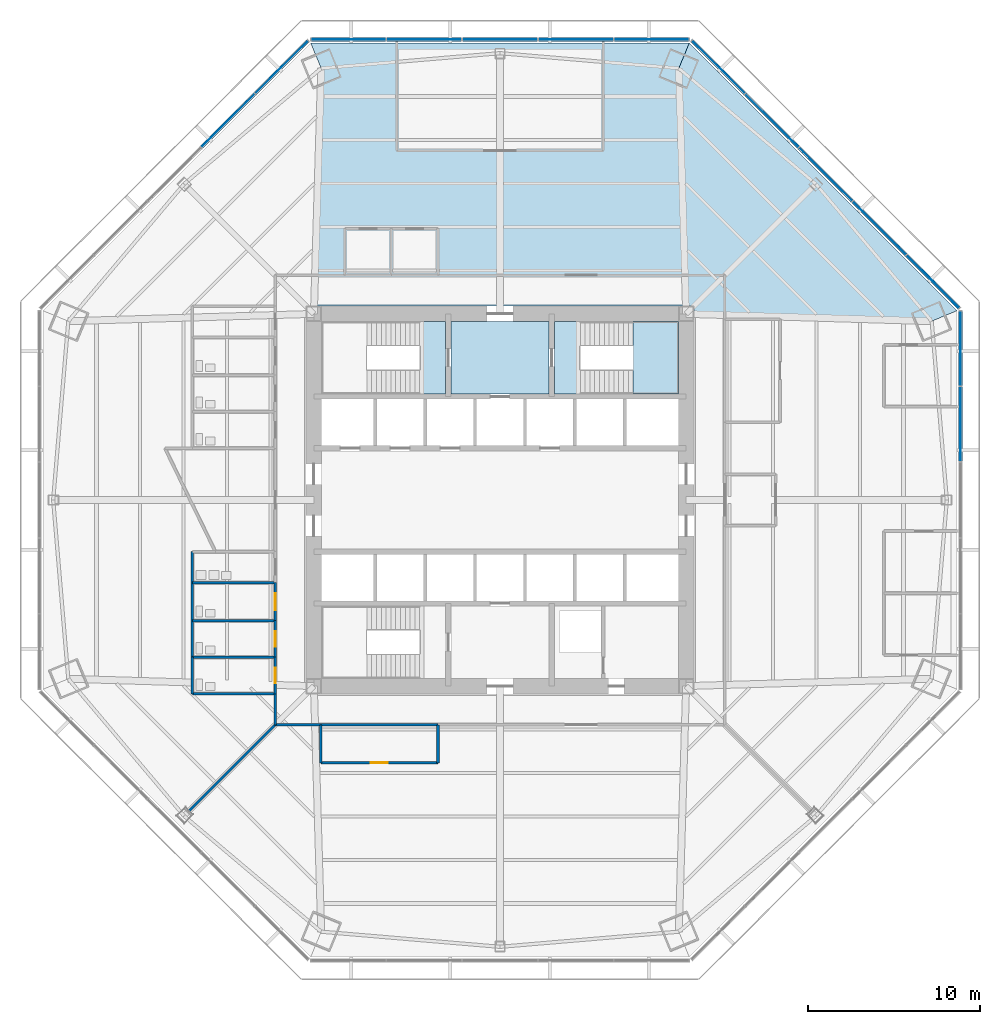
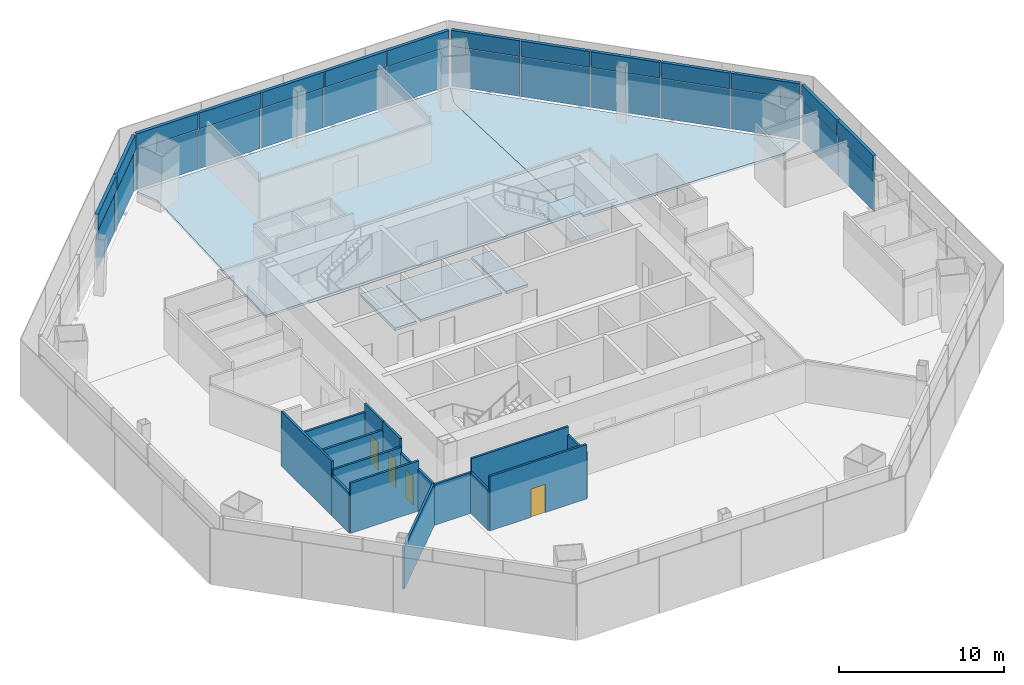
# One storey, part 7 of 13: 28 plates, 16 walls, 6 slabs, 4 doors, 4 openings, 6 elements without a shape of their own.
"""IFC4 building model written with IfcOpenShell, lengths in metres."""

import ifcopenshell
import ifcopenshell.guid

model = None  # the IFC model being written
_history = None  # IfcOwnerHistory: only IFC2X3 demands one
_inside = {}  # id of a spatial element -> (the spatial element, [elements in it])
_under = {}  # id of a project, library or spatial element -> (it, [spatial elements below it])
_declared = {}  # id of a project -> (the project, [libraries it declares])
_typed = {}  # id of a type object -> (the type object, [elements of that type])
_made_of = {}  # id of a material, layer set ... -> (it, [elements and type objects made of it])


def new_model(schema):
    """Start an empty IFC model of exactly this schema.

    Asked for "IFC4X3", IfcOpenShell would pick the latest addendum, in which some entities
    have other attributes; the version numbers below select the first issue.
    IFC2X3 requires an IfcOwnerHistory on every rooted entity: one is made here for all.
    """
    global model, _history
    if schema == "IFC4X3":
        model = ifcopenshell.file(schema_version=(4, 3, 0, 0))
    else:
        model = ifcopenshell.file(schema=schema)
    _inside.clear()
    _under.clear()
    _declared.clear()
    _typed.clear()
    _made_of.clear()
    _history = None
    if model.schema == "IFC2X3":
        org = make("IfcOrganization", Name="unknown")
        user = make(
            "IfcPersonAndOrganization",
            ThePerson=make("IfcPerson", FamilyName="unknown"),
            TheOrganization=org,
        )
        app = make(
            "IfcApplication",
            ApplicationDeveloper=org,
            Version="unknown",
            ApplicationFullName="unknown",
            ApplicationIdentifier="unknown",
        )
        _history = make(
            "IfcOwnerHistory",
            OwningUser=user,
            OwningApplication=app,
            ChangeAction="ADDED",
            CreationDate=0,
        )
    return model


def make(cls, **values):
    """One entity of the class cls with the attributes given. An attribute that is None is left unset."""
    return model.create_entity(
        cls, **{name: value for name, value in values.items() if value is not None}
    )


def rooted(cls, **values):
    """An entity with a GlobalId (a new one), such as an element, a storey or a relation."""
    return make(cls, GlobalId=ifcopenshell.guid.new(), OwnerHistory=_history, **values)


def si_unit(unit_type, name, prefix=None):
    """IfcSIUnit, for example si_unit("LENGTHUNIT", "METRE", prefix="MILLI")."""
    return make("IfcSIUnit", UnitType=unit_type, Prefix=prefix, Name=name)


def assignment(units):
    """IfcUnitAssignment: the units of a project."""
    return None if units is None else make("IfcUnitAssignment", Units=units)


def point(xyz):
    """IfcCartesianPoint."""
    return None if xyz is None else make("IfcCartesianPoint", Coordinates=xyz)


def direction(xyz):
    """IfcDirection."""
    return None if xyz is None else make("IfcDirection", DirectionRatios=xyz)


def frame(location, z_axis=None, x_axis=None):
    """IfcAxis2Placement3D, a coordinate frame: its origin and axes. An axis left out is left unset."""
    return make(
        "IfcAxis2Placement3D",
        Location=point(location),
        Axis=direction(z_axis),
        RefDirection=direction(x_axis),
    )


def frame_2d(location, x_axis=None):
    """IfcAxis2Placement2D, a coordinate frame in the plane: its origin and x axis."""
    return make(
        "IfcAxis2Placement2D", Location=point(location), RefDirection=direction(x_axis)
    )


def origin():
    """The frame at (0, 0, 0) with its axes left unset."""
    return frame((0.0, 0.0, 0.0))


def origin_2d():
    """The frame at (0, 0) in the plane with its x axis left unset."""
    return frame_2d((0.0, 0.0))


def place(relative_to, where):
    """IfcLocalPlacement: puts the frame where relative to a parent placement (None: the world)."""
    return make(
        "IfcLocalPlacement", PlacementRelTo=relative_to, RelativePlacement=where
    )


def context(
    kind, dimensions, precision=None, world=None, true_north=None, identifier=None
):
    """IfcGeometricRepresentationContext, for example the 3D "Model" context."""
    return make(
        "IfcGeometricRepresentationContext",
        ContextIdentifier=identifier,
        ContextType=kind,
        CoordinateSpaceDimension=dimensions,
        Precision=precision,
        WorldCoordinateSystem=world,
        TrueNorth=true_north,
    )


def subcontext(parent, identifier, kind, view, scale=None):
    """IfcGeometricRepresentationSubContext, for example "Body" below "Model"."""
    return make(
        "IfcGeometricRepresentationSubContext",
        ContextIdentifier=identifier,
        ContextType=kind,
        ParentContext=parent,
        TargetScale=scale,
        TargetView=view,
    )


def project(units=None, contexts=None):
    """IfcProject with its units and contexts."""
    return rooted(
        "IfcProject",
        Name="project",
        RepresentationContexts=contexts,
        UnitsInContext=assignment(units),
    )


def spatial(cls, under=None, at=None, **own):
    """A site, building, storey or space (cls), placed at a placement, below another one or the project."""
    s = rooted(cls, ObjectPlacement=at, **own)
    if under is not None:
        _under.setdefault(under.id(), (under, []))[1].append(s)
    return s


def polyline(points):
    """IfcPolyline through the points."""
    return make("IfcPolyline", Points=[point(p) for p in points])


def profile(cls, at=None, kind="AREA", **sizes):
    """A parametric profile (cls). Its sizes go by their IFC names, for example OverallWidth=200.0."""
    return make(cls, ProfileType=kind, Position=at, **sizes)


def rectangle(**sizes):
    """IfcRectangleProfileDef."""
    return profile("IfcRectangleProfileDef", **sizes)


def outline(outer, holes=None, kind="AREA"):
    """IfcArbitraryClosedProfileDef: a profile drawn as a closed curve; with holes, ...WithVoids."""
    if holes is None:
        return make("IfcArbitraryClosedProfileDef", ProfileType=kind, OuterCurve=outer)
    return make(
        "IfcArbitraryProfileDefWithVoids",
        ProfileType=kind,
        OuterCurve=outer,
        InnerCurves=holes,
    )


def extrude(swept, where, along, depth):
    """IfcExtrudedAreaSolid: the profile swept, set in the frame where, extruded along a direction by depth."""
    return make(
        "IfcExtrudedAreaSolid",
        SweptArea=swept,
        Position=where,
        ExtrudedDirection=direction(along),
        Depth=depth,
    )


def shape(context_of_items, identifier, shape_type, items):
    """IfcShapeRepresentation: the items that make up one representation, for example the "Body"."""
    return make(
        "IfcShapeRepresentation",
        ContextOfItems=context_of_items,
        RepresentationIdentifier=identifier,
        RepresentationType=shape_type,
        Items=items,
    )


def source(mapping_origin, context_of_items, identifier, shape_type, items):
    """IfcRepresentationMap: a shape defined once, which mapped items show again and again."""
    return make(
        "IfcRepresentationMap",
        MappingOrigin=mapping_origin,
        MappedRepresentation=shape(context_of_items, identifier, shape_type, items),
    )


def transform(
    local_origin,
    x_axis=None,
    y_axis=None,
    z_axis=None,
    scale=None,
    scale2=None,
    scale3=None,
    uniform=True,
):
    """IfcCartesianTransformationOperator3D, or its non-uniform kind. x_axis, y_axis, z_axis: its Axis1, 2, 3."""
    if uniform:
        return make(
            "IfcCartesianTransformationOperator3D",
            Axis1=direction(x_axis),
            Axis2=direction(y_axis),
            LocalOrigin=point(local_origin),
            Scale=scale,
            Axis3=direction(z_axis),
        )
    return make(
        "IfcCartesianTransformationOperator3DnonUniform",
        Axis1=direction(x_axis),
        Axis2=direction(y_axis),
        LocalOrigin=point(local_origin),
        Scale=scale,
        Axis3=direction(z_axis),
        Scale2=scale2,
        Scale3=scale3,
    )


def mapped(mapping_source, mapping_target):
    """IfcMappedItem: shows the shape of a source again, moved by a transform."""
    return make(
        "IfcMappedItem", MappingSource=mapping_source, MappingTarget=mapping_target
    )


def material(Name=None, Category=None):
    """IfcMaterial."""
    return make("IfcMaterial", Name=Name, Category=Category)


def layer(
    of_material, thickness, ventilated=None, Name=None, Category=None, Priority=None
):
    """IfcMaterialLayer: one layer of a wall or slab, of a material (None: an air gap)."""
    return make(
        "IfcMaterialLayer",
        Material=of_material,
        LayerThickness=thickness,
        IsVentilated=ventilated,
        Name=Name,
        Category=Category,
        Priority=Priority,
    )


def layer_set(layers, Name=None):
    """IfcMaterialLayerSet."""
    return make("IfcMaterialLayerSet", MaterialLayers=layers, LayerSetName=Name)


def made_of(thing, what):
    """Note that an element or type object is made of a material, layer set ...; save() writes the relation."""
    if what is not None:
        _made_of.setdefault(what.id(), (what, []))[1].append(thing)
    return thing


def type_object(cls, material=None, **own):
    """A type object (cls), such as IfcWallType, which elements share."""
    return made_of(rooted(cls, **own), material)


def type_shapes(of_type, sources):
    """Give a type object the sources (RepresentationMaps) that its elements show as mapped items."""
    of_type.RepresentationMaps = sources


def element(
    cls,
    number,
    at=None,
    inside=None,
    cuts=None,
    type_object=None,
    material=None,
    context=None,
    identifier="Body",
    shape_type=None,
    held_by="IfcProductDefinitionShape",
    body=None,
    shapes=None,
    **own,
):
    """One element of the class cls, such as IfcWall. Its Tag is "e" and its number.

    at: its placement. inside: the storey or other place that contains it. cuts: it is an
    opening in that element (IfcRelVoidsElement). A single representation is given by context,
    identifier, shape_type and body (its items); several are given by shapes. held_by: the class
    of the entity that holds the representations. save() writes the other relations.
    """
    e = rooted(cls, Tag="e%d" % number, ObjectPlacement=at, **own)
    if body is not None:
        shapes = [shape(context, identifier, shape_type, body)]
    if shapes is not None:
        e.Representation = make(held_by, Representations=shapes)
    if inside is not None:
        _inside.setdefault(inside.id(), (inside, []))[1].append(e)
    if cuts is not None:
        rooted(
            "IfcRelVoidsElement", RelatingBuildingElement=cuts, RelatedOpeningElement=e
        )
    if type_object is not None:
        _typed.setdefault(type_object.id(), (type_object, []))[1].append(e)
    return made_of(e, material)


def fill(opening, filler):
    """IfcRelFillsElement: the door or window that sits in an opening."""
    return rooted(
        "IfcRelFillsElement",
        RelatingOpeningElement=opening,
        RelatedBuildingElement=filler,
    )


def aggregate(whole, parts):
    """IfcRelAggregates: a whole, such as a stair, and the parts it consists of."""
    return rooted("IfcRelAggregates", RelatingObject=whole, RelatedObjects=parts)


def save(model, path):
    """Write the relations noted so far, then the file.

    IfcRelAggregates (storeys below a building ...), IfcRelContainedInSpatialStructure (elements
    in a storey), IfcRelDefinesByType, IfcRelAssociatesMaterial and IfcRelDeclares: one each for
    every whole, place, type object, material and project.
    """
    for whole, parts in _under.values():
        aggregate(whole, parts)
    for where, things in _inside.values():
        rooted(
            "IfcRelContainedInSpatialStructure",
            RelatedElements=things,
            RelatingStructure=where,
        )
    for kind, things in _typed.values():
        rooted("IfcRelDefinesByType", RelatedObjects=things, RelatingType=kind)
    for what, things in _made_of.values():
        rooted("IfcRelAssociatesMaterial", RelatedObjects=things, RelatingMaterial=what)
    for by, libraries in _declared.values():
        rooted("IfcRelDeclares", RelatingContext=by, RelatedDefinitions=libraries)
    model.write(path)


model = new_model("IFC4")

# Units and contexts
model_context = context("Model", 3, precision=1e-05, world=origin(), true_north=direction((0.0, 1.0)))
body_context = subcontext(model_context, "Body", "Model", "MODEL_VIEW")
ifc_project = project(units=[si_unit("LENGTHUNIT", "METRE"), si_unit("AREAUNIT", "SQUARE_METRE"), si_unit("VOLUMEUNIT", "CUBIC_METRE"), si_unit("PLANEANGLEUNIT", "RADIAN"), si_unit("MASSUNIT", "GRAM", prefix="KILO")], contexts=[model_context])

# Site, building, storey
site_placement = place(None, origin())
site = spatial("IfcSite", under=ifc_project, at=site_placement, CompositionType="ELEMENT")
building_placement = place(site_placement, origin())
building = spatial("IfcBuilding", under=site, at=building_placement, Name="Mashrafa Tower", CompositionType="ELEMENT")
storey_placement = place(building_placement, frame((0.0, 0.0, 45.60009765625)))
storey = spatial("IfcBuildingStorey", under=building, at=storey_placement, Name="L09", CompositionType="ELEMENT", Elevation=45.60009765625)

# Slabs
ifc_material_1 = material(Name="Concrete C35/45", Category="concrete")
ifc_layer_1 = layer(ifc_material_1, 0.1650390625)
ifc_layer_set_1 = layer_set([ifc_layer_1], Name="Floor slab 165")
slab_type_1 = type_object("IfcSlabType", Name="Floor slab 165", PredefinedType="FLOOR", material=ifc_layer_set_1)
slab_1_placement = place(storey_placement, frame((0.0, 0.0, -0.1650390625)))
element("IfcSlab", 1, at=slab_1_placement, inside=storey, type_object=slab_type_1, Name="Floor slab L09 north-east bay", PredefinedType="FLOOR", context=body_context, shape_type="SweptSolid", body=[
    extrude(outline(polyline([(26.524658203125, 10.987060546875), (25.05126953125, 10.376708984375), (11.25, 10.78662109375), (11.25, 11.25), (10.78662109375, 11.25), (10.376708984375, 25.05126953125), (10.987060546875, 26.524658203125), (26.524658203125, 10.987060546875)])), origin(), (0.0, 0.0, 1.0), 0.1650390625),
])
slab_2_placement = place(storey_placement, frame((0.0, 0.0, -0.1650390625)))
element("IfcSlab", 2, at=slab_2_placement, inside=storey, type_object=slab_type_1, Name="Floor slab L09 north bay", PredefinedType="FLOOR", context=body_context, shape_type="SweptSolid", body=[
    extrude(outline(polyline([(-10.98681640625, 26.524658203125), (10.98681640625, 26.524658203125), (10.987060546875, 26.524658203125), (10.376708984375, 25.05126953125), (10.78662109375, 11.25), (-10.78662109375, 11.25), (-10.376708984375, 25.05126953125), (-10.987060546875, 26.524658203125), (-10.98681640625, 26.524658203125)])), origin(), (0.0, 0.0, 1.0), 0.1650390625),
])
slab_3_placement = place(storey_placement, frame((0.0, 0.0, -0.1650390625)))
element("IfcSlab", 3, at=slab_3_placement, inside=storey, type_object=slab_type_1, Name="Core floor fire-fighting lobby north L09", PredefinedType="FLOOR", context=body_context, shape_type="SweptSolid", body=[
    extrude(outline(polyline([(-2.85009765625, 10.35009765625), (2.85009765625, 10.35009765625), (2.85009765625, 6.14990234375), (-2.85009765625, 6.14990234375), (-2.85009765625, 10.35009765625)])), origin(), (0.0, 0.0, 1.0), 0.1650390625),
])

# Stair, slab
ifc_material_2 = material(Name="Exit stair 1400")
stair_type = type_object("IfcStairType", Name="Exit stair 1400", PredefinedType="HALF_TURN_STAIR", material=ifc_material_2)
stair_1_placement = place(storey_placement, origin())
stair_1 = element("IfcStair", 4, at=stair_1_placement, inside=storey, type_object=stair_type, Name="Stair S1 L09", PredefinedType="HALF_TURN_STAIR")
ifc_material_3 = material(Name="Concrete C32/40", Category="concrete")
ifc_layer_2 = layer(ifc_material_3, 0.199951171875)
ifc_layer_set_2 = layer_set([ifc_layer_2], Name="Stair landing 200")
slab_type_2 = type_object("IfcSlabType", Name="Stair landing 200", PredefinedType="LANDING", material=ifc_layer_set_2)
slab_4_placement = place(storey_placement, frame((0.0, 0.0, -0.2001953125)))
slab_4 = element("IfcSlab", 5, at=slab_4_placement, type_object=slab_type_2, Name="S1 landing 1", PredefinedType="LANDING", context=body_context, shape_type="SweptSolid", body=[
    extrude(outline(polyline([(-4.659912109375, 6.14990234375), (-3.14990234375, 6.14990234375), (-3.14990234375, 10.35009765625), (-4.659912109375, 10.35009765625), (-4.659912109375, 6.14990234375)])), origin(), (0.0, 0.0, 1.0), 0.2001953125),
])
aggregate(stair_1, [slab_4])

# Stair, slabs
stair_2_placement = place(storey_placement, origin())
stair_2 = element("IfcStair", 6, at=stair_2_placement, inside=storey, type_object=stair_type, Name="Stair S2 L09", PredefinedType="HALF_TURN_STAIR")
slab_5_placement = place(storey_placement, frame((0.0, 0.0, -0.2001953125)))
slab_5 = element("IfcSlab", 7, at=slab_5_placement, type_object=slab_type_2, Name="S2 landing 1", PredefinedType="LANDING", context=body_context, shape_type="SweptSolid", body=[
    extrude(outline(polyline([(3.14990234375, 6.14990234375), (4.659912109375, 6.14990234375), (4.659912109375, 10.35009765625), (3.14990234375, 10.35009765625), (3.14990234375, 6.14990234375)])), origin(), (0.0, 0.0, 1.0), 0.2001953125),
])
slab_6_placement = place(storey_placement, frame((0.0, 0.0, 1.89990234375)))
slab_6 = element("IfcSlab", 8, at=slab_6_placement, type_object=slab_type_2, Name="S2 landing 2", PredefinedType="LANDING", context=body_context, shape_type="SweptSolid", body=[
    extrude(outline(polyline([(7.719970703125, 6.14990234375), (10.35009765625, 6.14990234375), (10.35009765625, 10.35009765625), (7.719970703125, 10.35009765625), (7.719970703125, 6.14990234375)])), origin(), (0.0, 0.0, 1.0), 0.199951171875),
])
aggregate(stair_2, [slab_5, slab_6])

# Curtain wall, plate
ifc_material_4 = material(Name="Unitised aluminium curtain wall", Category="aluminium")
curtain_wall_type = type_object("IfcCurtainWallType", Name="Office curtain wall, zone 1 CW-A 200 deep", PredefinedType="NOTDEFINED", material=ifc_material_4)
curtain_wall_1_placement = place(storey_placement, origin())
curtain_wall_1 = element("IfcCurtainWall", 9, at=curtain_wall_1_placement, inside=storey, type_object=curtain_wall_type, Name="Office curtain wall, zone 1 L09 east", PredefinedType="NOTDEFINED")
ifc_material_5 = material(Name="Insulated double glazing, low-e, neutral", Category="glass")
ifc_layer_3 = layer(ifc_material_5, 0.028076171875)
ifc_layer_set_3 = layer_set([ifc_layer_3], Name="Vision panel CW-A 28")
plate_type_1 = type_object("IfcPlateType", Name="Vision panel CW-A 28", PredefinedType="CURTAIN_PANEL", material=ifc_layer_set_3)
shared_shape_1 = source(origin(), body_context, "Body", "SweptSolid", [
    extrude(rectangle(XDim=4.309814453125, YDim=0.028076171875, at=origin_2d()), origin(), (0.0, 0.0, 1.0), 2.9599609375),
])
plate_1_placement = place(storey_placement, frame((26.724853515625, 8.79833984375, 0.0), z_axis=(0.0, 0.0, 1.0), x_axis=(0.0, 1.0, 0.0)))
plate_1 = element("IfcPlate", 10, at=plate_1_placement, type_object=plate_type_1, Name="CW-A vision panel 5", PredefinedType="CURTAIN_PANEL", context=body_context, shape_type="MappedRepresentation", body=[
    mapped(shared_shape_1, transform((0.0, 0.0, 0.0))),
])

# Curtain wall, plates
curtain_wall_2_placement = place(storey_placement, origin())
curtain_wall_2 = element("IfcCurtainWall", 11, at=curtain_wall_2_placement, inside=storey, type_object=curtain_wall_type, Name="Office curtain wall, zone 1 L09 north-east", PredefinedType="NOTDEFINED")
plate_2_placement = place(storey_placement, frame((25.11865234375, 12.67578125, 0.0), z_axis=(0.0, 0.0, 1.0), x_axis=(-0.707106781187, 0.707106781187, 0.0)))
plate_2 = element("IfcPlate", 12, at=plate_2_placement, type_object=plate_type_1, Name="CW-A vision panel 1", PredefinedType="CURTAIN_PANEL", context=body_context, shape_type="MappedRepresentation", body=[
    mapped(shared_shape_1, transform((0.0, 0.0, 0.0))),
])
plate_3_placement = place(storey_placement, frame((12.67578125, 25.11865234375, 0.0), z_axis=(0.0, 0.0, 1.0), x_axis=(-0.707106781187, 0.707106781187, 0.0)))
plate_3 = element("IfcPlate", 13, at=plate_3_placement, type_object=plate_type_1, Name="CW-A vision panel 5", PredefinedType="CURTAIN_PANEL", context=body_context, shape_type="MappedRepresentation", body=[
    mapped(shared_shape_1, transform((0.0, 0.0, 0.0))),
])

curtain_wall_3_placement = place(storey_placement, origin())
curtain_wall_3 = element("IfcCurtainWall", 14, at=curtain_wall_3_placement, inside=storey, type_object=curtain_wall_type, Name="Office curtain wall, zone 1 L09 north", PredefinedType="NOTDEFINED")
plate_4_placement = place(storey_placement, frame((8.79833984375, 26.724853515625, 0.0), z_axis=(0.0, 0.0, 1.0), x_axis=(-1.0, 0.0, 0.0)))
plate_4 = element("IfcPlate", 15, at=plate_4_placement, type_object=plate_type_1, Name="CW-A vision panel 1", PredefinedType="CURTAIN_PANEL", context=body_context, shape_type="MappedRepresentation", body=[
    mapped(shared_shape_1, transform((0.0, 0.0, 0.0))),
])
plate_5_placement = place(storey_placement, frame((-8.79833984375, 26.724853515625, 0.0), z_axis=(0.0, 0.0, 1.0), x_axis=(-1.0, 0.0, 0.0)))
plate_5 = element("IfcPlate", 16, at=plate_5_placement, type_object=plate_type_1, Name="CW-A vision panel 5", PredefinedType="CURTAIN_PANEL", context=body_context, shape_type="MappedRepresentation", body=[
    mapped(shared_shape_1, transform((0.0, 0.0, 0.0))),
])

# Curtain wall, plate
curtain_wall_4_placement = place(storey_placement, origin())
curtain_wall_4 = element("IfcCurtainWall", 17, at=curtain_wall_4_placement, inside=storey, type_object=curtain_wall_type, Name="Office curtain wall, zone 1 L09 north-west", PredefinedType="NOTDEFINED")
plate_6_placement = place(storey_placement, frame((-12.67578125, 25.11865234375, 0.0), z_axis=(0.0, 0.0, 1.0), x_axis=(-0.707106781187, -0.707106781187, 0.0)))
plate_6 = element("IfcPlate", 18, at=plate_6_placement, type_object=plate_type_1, Name="CW-A vision panel 1", PredefinedType="CURTAIN_PANEL", context=body_context, shape_type="MappedRepresentation", body=[
    mapped(shared_shape_1, transform((0.0, 0.0, 0.0))),
])

# Plate
ifc_material_6 = material(Name="Insulated aluminium spandrel panel", Category="aluminium")
ifc_layer_4 = layer(ifc_material_6, 0.219970703125)
ifc_layer_set_4 = layer_set([ifc_layer_4], Name="Spandrel panel CW-A 220")
plate_type_2 = type_object("IfcPlateType", Name="Spandrel panel CW-A 220", PredefinedType="CURTAIN_PANEL", material=ifc_layer_set_4)
shared_shape_2 = source(origin(), body_context, "Body", "SweptSolid", [
    extrude(rectangle(XDim=4.309814453125, YDim=0.219970703125, at=origin_2d()), origin(), (0.0, 0.0, 1.0), 1.159912109375),
])
plate_7_placement = place(storey_placement, frame((26.724853515625, 8.79833984375, 3.0400390625), z_axis=(0.0, 0.0, 1.0), x_axis=(0.0, 1.0, 0.0)))
plate_7 = element("IfcPlate", 19, at=plate_7_placement, type_object=plate_type_2, Name="CW-A spandrel panel 5", PredefinedType="CURTAIN_PANEL", context=body_context, shape_type="MappedRepresentation", body=[
    mapped(shared_shape_2, transform((0.0, 0.0, 0.0))),
])

plate_8_placement = place(storey_placement, frame((25.11865234375, 12.67578125, 3.0400390625), z_axis=(0.0, 0.0, 1.0), x_axis=(-0.707106781187, 0.707106781187, 0.0)))
plate_8 = element("IfcPlate", 20, at=plate_8_placement, type_object=plate_type_2, Name="CW-A spandrel panel 1", PredefinedType="CURTAIN_PANEL", context=body_context, shape_type="MappedRepresentation", body=[
    mapped(shared_shape_2, transform((0.0, 0.0, 0.0))),
])

plate_9_placement = place(storey_placement, frame((12.67578125, 25.11865234375, 3.0400390625), z_axis=(0.0, 0.0, 1.0), x_axis=(-0.707106781187, 0.707106781187, 0.0)))
plate_9 = element("IfcPlate", 21, at=plate_9_placement, type_object=plate_type_2, Name="CW-A spandrel panel 5", PredefinedType="CURTAIN_PANEL", context=body_context, shape_type="MappedRepresentation", body=[
    mapped(shared_shape_2, transform((0.0, 0.0, 0.0))),
])

plate_10_placement = place(storey_placement, frame((8.79833984375, 26.724853515625, 3.0400390625), z_axis=(0.0, 0.0, 1.0), x_axis=(-1.0, 0.0, 0.0)))
plate_10 = element("IfcPlate", 22, at=plate_10_placement, type_object=plate_type_2, Name="CW-A spandrel panel 1", PredefinedType="CURTAIN_PANEL", context=body_context, shape_type="MappedRepresentation", body=[
    mapped(shared_shape_2, transform((0.0, 0.0, 0.0))),
])

plate_11_placement = place(storey_placement, frame((-8.79833984375, 26.724853515625, 3.0400390625), z_axis=(0.0, 0.0, 1.0), x_axis=(-1.0, 0.0, 0.0)))
plate_11 = element("IfcPlate", 23, at=plate_11_placement, type_object=plate_type_2, Name="CW-A spandrel panel 5", PredefinedType="CURTAIN_PANEL", context=body_context, shape_type="MappedRepresentation", body=[
    mapped(shared_shape_2, transform((0.0, 0.0, 0.0))),
])

plate_12_placement = place(storey_placement, frame((-12.67578125, 25.11865234375, 3.0400390625), z_axis=(0.0, 0.0, 1.0), x_axis=(-0.707106781187, -0.707106781187, 0.0)))
plate_12 = element("IfcPlate", 24, at=plate_12_placement, type_object=plate_type_2, Name="CW-A spandrel panel 1", PredefinedType="CURTAIN_PANEL", context=body_context, shape_type="MappedRepresentation", body=[
    mapped(shared_shape_2, transform((0.0, 0.0, 0.0))),
])

shared_shape_3 = source(origin(), body_context, "Body", "SweptSolid", [
    extrude(rectangle(XDim=4.34228515625, YDim=0.028076171875, at=origin_2d()), origin(), (0.0, 0.0, 1.0), 2.9599609375),
])
type_shapes(plate_type_1, [shared_shape_1, shared_shape_3])
plate_13_placement = place(storey_placement, frame((26.724853515625, 4.4072265625, 0.0), z_axis=(0.0, 0.0, 1.0), x_axis=(0.0, 1.0, 0.0)))
plate_13 = element("IfcPlate", 25, at=plate_13_placement, type_object=plate_type_1, Name="CW-A vision panel 4", PredefinedType="CURTAIN_PANEL", context=body_context, shape_type="MappedRepresentation", body=[
    mapped(shared_shape_3, transform((0.0, 0.0, 0.0))),
])

plate_14_placement = place(storey_placement, frame((22.013671875, 15.78076171875, 0.0), z_axis=(0.0, 0.0, 1.0), x_axis=(-0.707106781187, 0.707106781187, 0.0)))
plate_14 = element("IfcPlate", 26, at=plate_14_placement, type_object=plate_type_1, Name="CW-A vision panel 2", PredefinedType="CURTAIN_PANEL", context=body_context, shape_type="MappedRepresentation", body=[
    mapped(shared_shape_3, transform((0.0, 0.0, 0.0))),
])

plate_15_placement = place(storey_placement, frame((18.897216796875, 18.897216796875, 0.0), z_axis=(0.0, 0.0, 1.0), x_axis=(-0.707106781187, 0.707106781187, 0.0)))
plate_15 = element("IfcPlate", 27, at=plate_15_placement, type_object=plate_type_1, Name="CW-A vision panel 3", PredefinedType="CURTAIN_PANEL", context=body_context, shape_type="MappedRepresentation", body=[
    mapped(shared_shape_3, transform((0.0, 0.0, 0.0))),
])

plate_16_placement = place(storey_placement, frame((15.78076171875, 22.013671875, 0.0), z_axis=(0.0, 0.0, 1.0), x_axis=(-0.707106781187, 0.707106781187, 0.0)))
plate_16 = element("IfcPlate", 28, at=plate_16_placement, type_object=plate_type_1, Name="CW-A vision panel 4", PredefinedType="CURTAIN_PANEL", context=body_context, shape_type="MappedRepresentation", body=[
    mapped(shared_shape_3, transform((0.0, 0.0, 0.0))),
])

plate_17_placement = place(storey_placement, frame((4.4072265625, 26.724853515625, 0.0), z_axis=(0.0, 0.0, 1.0), x_axis=(-1.0, 0.0, 0.0)))
plate_17 = element("IfcPlate", 29, at=plate_17_placement, type_object=plate_type_1, Name="CW-A vision panel 2", PredefinedType="CURTAIN_PANEL", context=body_context, shape_type="MappedRepresentation", body=[
    mapped(shared_shape_3, transform((0.0, 0.0, 0.0))),
])

plate_18_placement = place(storey_placement, frame((0.0, 26.724853515625, 0.0), z_axis=(0.0, 0.0, 1.0), x_axis=(-1.0, 0.0, 0.0)))
plate_18 = element("IfcPlate", 30, at=plate_18_placement, type_object=plate_type_1, Name="CW-A vision panel 3", PredefinedType="CURTAIN_PANEL", context=body_context, shape_type="MappedRepresentation", body=[
    mapped(shared_shape_3, transform((0.0, 0.0, 0.0))),
])

plate_19_placement = place(storey_placement, frame((-4.4072265625, 26.724853515625, 0.0), z_axis=(0.0, 0.0, 1.0), x_axis=(-1.0, 0.0, 0.0)))
plate_19 = element("IfcPlate", 31, at=plate_19_placement, type_object=plate_type_1, Name="CW-A vision panel 4", PredefinedType="CURTAIN_PANEL", context=body_context, shape_type="MappedRepresentation", body=[
    mapped(shared_shape_3, transform((0.0, 0.0, 0.0))),
])

plate_20_placement = place(storey_placement, frame((-15.78076171875, 22.013671875, 0.0), z_axis=(0.0, 0.0, 1.0), x_axis=(-0.707106781187, -0.707106781187, 0.0)))
plate_20 = element("IfcPlate", 32, at=plate_20_placement, type_object=plate_type_1, Name="CW-A vision panel 2", PredefinedType="CURTAIN_PANEL", context=body_context, shape_type="MappedRepresentation", body=[
    mapped(shared_shape_3, transform((0.0, 0.0, 0.0))),
])

shared_shape_4 = source(origin(), body_context, "Body", "SweptSolid", [
    extrude(rectangle(XDim=4.34228515625, YDim=0.219970703125, at=origin_2d()), origin(), (0.0, 0.0, 1.0), 1.159912109375),
])
type_shapes(plate_type_2, [shared_shape_2, shared_shape_4])
plate_21_placement = place(storey_placement, frame((26.724853515625, 4.4072265625, 3.0400390625), z_axis=(0.0, 0.0, 1.0), x_axis=(0.0, 1.0, 0.0)))
plate_21 = element("IfcPlate", 33, at=plate_21_placement, type_object=plate_type_2, Name="CW-A spandrel panel 4", PredefinedType="CURTAIN_PANEL", context=body_context, shape_type="MappedRepresentation", body=[
    mapped(shared_shape_4, transform((0.0, 0.0, 0.0))),
])

aggregate(curtain_wall_1, [plate_13, plate_21, plate_1, plate_7])

plate_22_placement = place(storey_placement, frame((22.013671875, 15.78076171875, 3.0400390625), z_axis=(0.0, 0.0, 1.0), x_axis=(-0.707106781187, 0.707106781187, 0.0)))
plate_22 = element("IfcPlate", 34, at=plate_22_placement, type_object=plate_type_2, Name="CW-A spandrel panel 2", PredefinedType="CURTAIN_PANEL", context=body_context, shape_type="MappedRepresentation", body=[
    mapped(shared_shape_4, transform((0.0, 0.0, 0.0))),
])

plate_23_placement = place(storey_placement, frame((18.897216796875, 18.897216796875, 3.0400390625), z_axis=(0.0, 0.0, 1.0), x_axis=(-0.707106781187, 0.707106781187, 0.0)))
plate_23 = element("IfcPlate", 35, at=plate_23_placement, type_object=plate_type_2, Name="CW-A spandrel panel 3", PredefinedType="CURTAIN_PANEL", context=body_context, shape_type="MappedRepresentation", body=[
    mapped(shared_shape_4, transform((0.0, 0.0, 0.0))),
])

plate_24_placement = place(storey_placement, frame((15.78076171875, 22.013671875, 3.0400390625), z_axis=(0.0, 0.0, 1.0), x_axis=(-0.707106781187, 0.707106781187, 0.0)))
plate_24 = element("IfcPlate", 36, at=plate_24_placement, type_object=plate_type_2, Name="CW-A spandrel panel 4", PredefinedType="CURTAIN_PANEL", context=body_context, shape_type="MappedRepresentation", body=[
    mapped(shared_shape_4, transform((0.0, 0.0, 0.0))),
])

aggregate(curtain_wall_2, [plate_2, plate_8, plate_14, plate_22, plate_15, plate_23, plate_16, plate_24, plate_3, plate_9])

plate_25_placement = place(storey_placement, frame((4.4072265625, 26.724853515625, 3.0400390625), z_axis=(0.0, 0.0, 1.0), x_axis=(-1.0, 0.0, 0.0)))
plate_25 = element("IfcPlate", 37, at=plate_25_placement, type_object=plate_type_2, Name="CW-A spandrel panel 2", PredefinedType="CURTAIN_PANEL", context=body_context, shape_type="MappedRepresentation", body=[
    mapped(shared_shape_4, transform((0.0, 0.0, 0.0))),
])

plate_26_placement = place(storey_placement, frame((0.0, 26.724853515625, 3.0400390625), z_axis=(0.0, 0.0, 1.0), x_axis=(-1.0, 0.0, 0.0)))
plate_26 = element("IfcPlate", 38, at=plate_26_placement, type_object=plate_type_2, Name="CW-A spandrel panel 3", PredefinedType="CURTAIN_PANEL", context=body_context, shape_type="MappedRepresentation", body=[
    mapped(shared_shape_4, transform((0.0, 0.0, 0.0))),
])

plate_27_placement = place(storey_placement, frame((-4.4072265625, 26.724853515625, 3.0400390625), z_axis=(0.0, 0.0, 1.0), x_axis=(-1.0, 0.0, 0.0)))
plate_27 = element("IfcPlate", 39, at=plate_27_placement, type_object=plate_type_2, Name="CW-A spandrel panel 4", PredefinedType="CURTAIN_PANEL", context=body_context, shape_type="MappedRepresentation", body=[
    mapped(shared_shape_4, transform((0.0, 0.0, 0.0))),
])

aggregate(curtain_wall_3, [plate_4, plate_10, plate_17, plate_25, plate_18, plate_26, plate_19, plate_27, plate_5, plate_11])

plate_28_placement = place(storey_placement, frame((-15.78076171875, 22.013671875, 3.0400390625), z_axis=(0.0, 0.0, 1.0), x_axis=(-0.707106781187, -0.707106781187, 0.0)))
plate_28 = element("IfcPlate", 40, at=plate_28_placement, type_object=plate_type_2, Name="CW-A spandrel panel 2", PredefinedType="CURTAIN_PANEL", context=body_context, shape_type="MappedRepresentation", body=[
    mapped(shared_shape_4, transform((0.0, 0.0, 0.0))),
])

aggregate(curtain_wall_4, [plate_6, plate_12, plate_20, plate_28])

# Wall, opening, door
ifc_material_7 = material(Name="Gypsum board on steel studs", Category="steel")
ifc_layer_5 = layer(ifc_material_7, 0.14990234375)
ifc_layer_set_5 = layer_set([ifc_layer_5], Name="Corridor partition 150 1 hr")
wall_type_1 = type_object("IfcWallType", Name="Corridor partition 150 1 hr", PredefinedType="PARTITIONING", material=ifc_layer_set_5)
wall_1_placement = place(storey_placement, frame((-13.050048828125, -9.1240234375, 0.0), z_axis=(0.0, 0.0, 1.0), x_axis=(0.0, -1.0, 0.0)))
wall_1 = element("IfcWall", 41, at=wall_1_placement, inside=storey, type_object=wall_type_1, Name="Corridor wall L09-005", PredefinedType="PARTITIONING", context=body_context, shape_type="SweptSolid", body=[
    extrude(rectangle(XDim=2.126953125, YDim=0.14990234375, at=frame_2d((1.0634765625, 0.0))), origin(), (0.0, 0.0, 1.0), 3.013916015625),
])
opening_1_placement = place(wall_1_placement, frame((0.613525390625, 0.0, 0.0)))
opening_1 = element("IfcOpeningElement", 42, at=opening_1_placement, cuts=wall_1, Name="Opening 09.005", PredefinedType="OPENING", context=body_context, shape_type="SweptSolid", body=[
    extrude(rectangle(XDim=0.89990234375, YDim=2.10009765625, at=frame_2d((0.449951171875, 1.050048828125))), frame((0.0, 0.0849609375, 0.0), z_axis=(0.0, -1.0, 0.0), x_axis=(1.0, 0.0, 0.0)), (0.0, 0.0, 1.0), 0.169921875),
])
ifc_material_8 = material(Name="Timber door", Category="wood")
door_type_1 = type_object("IfcDoorType", Name="Toilet door 900 x 2100", OperationType="USERDEFINED", PredefinedType="DOOR", material=ifc_material_8)
door_1_placement = place(opening_1_placement, frame((0.89990234375, 0.0, 0.0), z_axis=(0.0, 0.0, 1.0), x_axis=(-1.0, 0.0, 0.0)))
door_1 = element("IfcDoor", 43, at=door_1_placement, inside=storey, type_object=door_type_1, Name="WC Female L09 S door", OperationType="SINGLE_SWING_RIGHT", OverallHeight=2.10009765625, OverallWidth=0.89990234375, PredefinedType="DOOR", context=body_context, shape_type="SweptSolid", body=[
    extrude(rectangle(XDim=0.89990234375, YDim=2.10009765625, at=frame_2d((0.449951171875, 1.050048828125))), frame((0.0, 0.02490234375, 0.0), z_axis=(0.0, -1.0, 0.0), x_axis=(1.0, 0.0, 0.0)), (0.0, 0.0, 1.0), 0.050048828125),
])
fill(opening_1, door_1)

wall_2_placement = place(storey_placement, frame((-13.050048828125, -6.9990234375, 0.0), z_axis=(0.0, 0.0, 1.0), x_axis=(0.0, -1.0, 0.0)))
wall_2 = element("IfcWall", 44, at=wall_2_placement, inside=storey, type_object=wall_type_1, Name="Corridor wall L09-006", PredefinedType="PARTITIONING", context=body_context, shape_type="SweptSolid", body=[
    extrude(rectangle(XDim=2.126953125, YDim=0.14990234375, at=frame_2d((1.0634765625, 0.0))), origin(), (0.0, 0.0, 1.0), 4.034912109375),
])
opening_2_placement = place(wall_2_placement, frame((0.613525390625, 0.0, 0.0)))
opening_2 = element("IfcOpeningElement", 45, at=opening_2_placement, cuts=wall_2, Name="Opening 09.006", PredefinedType="OPENING", context=body_context, shape_type="SweptSolid", body=[
    extrude(rectangle(XDim=0.89990234375, YDim=2.10009765625, at=frame_2d((0.449951171875, 1.050048828125))), frame((0.0, 0.0849609375, 0.0), z_axis=(0.0, -1.0, 0.0), x_axis=(1.0, 0.0, 0.0)), (0.0, 0.0, 1.0), 0.169921875),
])
door_2_placement = place(opening_2_placement, frame((0.89990234375, 0.0, 0.0), z_axis=(0.0, 0.0, 1.0), x_axis=(-1.0, 0.0, 0.0)))
door_2 = element("IfcDoor", 46, at=door_2_placement, inside=storey, type_object=door_type_1, Name="WC Male L09 S door", OperationType="SINGLE_SWING_RIGHT", OverallHeight=2.10009765625, OverallWidth=0.89990234375, PredefinedType="DOOR", context=body_context, shape_type="SweptSolid", body=[
    extrude(rectangle(XDim=0.89990234375, YDim=2.10009765625, at=frame_2d((0.449951171875, 1.050048828125))), frame((0.0, 0.02490234375, 0.0), z_axis=(0.0, -1.0, 0.0), x_axis=(1.0, 0.0, 0.0)), (0.0, 0.0, 1.0), 0.050048828125),
])
fill(opening_2, door_2)

wall_3_placement = place(storey_placement, frame((-13.050048828125, -4.799072265625, 0.0), z_axis=(0.0, 0.0, 1.0), x_axis=(0.0, -1.0, 0.0)))
wall_3 = element("IfcWall", 47, at=wall_3_placement, inside=storey, type_object=wall_type_1, Name="Corridor wall L09-007", PredefinedType="PARTITIONING", context=body_context, shape_type="SweptSolid", body=[
    extrude(rectangle(XDim=2.201904296875, YDim=0.14990234375, at=frame_2d((1.10107421875, 0.0))), origin(), (0.0, 0.0, 1.0), 4.034912109375),
])
opening_3_placement = place(wall_3_placement, frame((0.60107421875, 0.0, 0.0)))
opening_3 = element("IfcOpeningElement", 48, at=opening_3_placement, cuts=wall_3, Name="Opening 09.007", PredefinedType="OPENING", context=body_context, shape_type="SweptSolid", body=[
    extrude(rectangle(XDim=1.0, YDim=2.10009765625, at=frame_2d((0.5, 1.050048828125))), frame((0.0, 0.0849609375, 0.0), z_axis=(0.0, -1.0, 0.0), x_axis=(1.0, 0.0, 0.0)), (0.0, 0.0, 1.0), 0.169921875),
])
ifc_material_9 = material(Name="Timber door", Category="wood")
door_type_2 = type_object("IfcDoorType", Name="Accessible toilet door 1000 x 2100", OperationType="USERDEFINED", PredefinedType="DOOR", material=ifc_material_9)
door_3_placement = place(opening_3_placement, frame((1.0, 0.0, 0.0), z_axis=(0.0, 0.0, 1.0), x_axis=(-1.0, 0.0, 0.0)))
door_3 = element("IfcDoor", 49, at=door_3_placement, inside=storey, type_object=door_type_2, Name="Accessible WC L09 S door", OperationType="SINGLE_SWING_LEFT", OverallHeight=2.10009765625, OverallWidth=1.0, PredefinedType="DOOR", context=body_context, shape_type="SweptSolid", body=[
    extrude(rectangle(XDim=1.0, YDim=2.10009765625, at=frame_2d((0.5, 1.050048828125))), frame((0.0, 0.02490234375, 0.0), z_axis=(0.0, -1.0, 0.0), x_axis=(1.0, 0.0, 0.0)), (0.0, 0.0, 1.0), 0.050048828125),
])
fill(opening_3, door_3)

# Walls
wall_4_placement = place(storey_placement, frame((-10.40087890625, -13.050048828125, 0.0), z_axis=(0.0, 0.0, 1.0), x_axis=(1.0, 0.0, 0.0)))
element("IfcWall", 50, at=wall_4_placement, inside=storey, type_object=wall_type_1, Name="Corridor wall L09-010", PredefinedType="PARTITIONING", context=body_context, shape_type="SweptSolid", body=[
    extrude(rectangle(XDim=6.8017578125, YDim=0.14990234375, at=frame_2d((3.40087890625, 0.0))), origin(), (0.0, 0.0, 1.0), 4.034912109375),
])
wall_5_placement = place(storey_placement, frame((-13.050048828125, -11.2490234375, 0.0), z_axis=(0.0, 0.0, 1.0), x_axis=(0.0, -1.0, 0.0)))
element("IfcWall", 51, at=wall_5_placement, inside=storey, type_object=wall_type_1, Name="Corridor wall L09-015", PredefinedType="PARTITIONING", context=body_context, shape_type="SweptSolid", body=[
    extrude(rectangle(XDim=1.801025390625, YDim=0.14990234375, at=frame_2d((0.900390625, 0.0))), origin(), (0.0, 0.0, 1.0), 3.097900390625),
])
wall_6_placement = place(storey_placement, frame((-13.050048828125, -13.050048828125, 0.0), z_axis=(0.0, 0.0, 1.0), x_axis=(1.0, 0.0, 0.0)))
element("IfcWall", 52, at=wall_6_placement, inside=storey, type_object=wall_type_1, Name="Corridor wall L09-022", PredefinedType="PARTITIONING", context=body_context, shape_type="SweptSolid", body=[
    extrude(rectangle(XDim=2.651123046875, YDim=0.14990234375, at=frame_2d((1.32568359375, 0.0))), origin(), (0.0, 0.0, 1.0), 3.013916015625),
])
ifc_material_10 = material(Name="Gypsum board on steel studs", Category="steel")
ifc_layer_6 = layer(ifc_material_10, 0.14990234375)
ifc_layer_set_6 = layer_set([ifc_layer_6], Name="Partition 150")
wall_type_2 = type_object("IfcWallType", Name="Partition 150", PredefinedType="PARTITIONING", material=ifc_layer_set_6)
wall_7_placement = place(storey_placement, frame((-13.050048828125, -9.125, 0.0), z_axis=(0.0, 0.0, 1.0), x_axis=(-1.0, 0.0, 0.0)))
element("IfcWall", 53, at=wall_7_placement, inside=storey, type_object=wall_type_2, Name="Partition wall L09-033", PredefinedType="PARTITIONING", context=body_context, shape_type="SweptSolid", body=[
    extrude(rectangle(XDim=4.800048828125, YDim=0.14990234375, at=frame_2d((2.39990234375, 0.0))), origin(), (0.0, 0.0, 1.0), 3.425537109375),
])
wall_8_placement = place(storey_placement, frame((-17.85009765625, -9.125, 0.0), z_axis=(0.0, 0.0, 1.0), x_axis=(0.0, -1.0, 0.0)))
element("IfcWall", 54, at=wall_8_placement, inside=storey, type_object=wall_type_2, Name="Partition wall L09-034", PredefinedType="PARTITIONING", context=body_context, shape_type="SweptSolid", body=[
    extrude(rectangle(XDim=2.125, YDim=0.14990234375, at=frame_2d((1.0625, 0.0))), origin(), (0.0, 0.0, 1.0), 3.013916015625),
])
wall_9_placement = place(storey_placement, frame((-17.85009765625, -11.25, 0.0), z_axis=(0.0, 0.0, 1.0), x_axis=(1.0, 0.0, 0.0)))
element("IfcWall", 55, at=wall_9_placement, inside=storey, type_object=wall_type_2, Name="Partition wall L09-035", PredefinedType="PARTITIONING", context=body_context, shape_type="SweptSolid", body=[
    extrude(rectangle(XDim=4.800048828125, YDim=0.14990234375, at=frame_2d((2.39990234375, 0.0))), origin(), (0.0, 0.0, 1.0), 3.715087890625),
])
wall_10_placement = place(storey_placement, frame((-13.050048828125, -7.0, 0.0), z_axis=(0.0, 0.0, 1.0), x_axis=(-1.0, 0.0, 0.0)))
element("IfcWall", 56, at=wall_10_placement, inside=storey, type_object=wall_type_2, Name="Partition wall L09-036", PredefinedType="PARTITIONING", context=body_context, shape_type="SweptSolid", body=[
    extrude(rectangle(XDim=4.800048828125, YDim=0.14990234375, at=frame_2d((2.39990234375, 0.0))), origin(), (0.0, 0.0, 1.0), 3.425537109375),
])
wall_11_placement = place(storey_placement, frame((-17.85009765625, -9.125, 0.0), z_axis=(0.0, 0.0, 1.0), x_axis=(0.0, 1.0, 0.0)))
element("IfcWall", 57, at=wall_11_placement, inside=storey, type_object=wall_type_2, Name="Partition wall L09-037", PredefinedType="PARTITIONING", context=body_context, shape_type="SweptSolid", body=[
    extrude(rectangle(XDim=6.125, YDim=0.14990234375, at=frame_2d((3.0625, 0.0))), origin(), (0.0, 0.0, 1.0), 4.034912109375),
])
wall_12_placement = place(storey_placement, frame((-13.050048828125, -4.800048828125, 0.0), z_axis=(0.0, 0.0, 1.0), x_axis=(-1.0, 0.0, 0.0)))
element("IfcWall", 58, at=wall_12_placement, inside=storey, type_object=wall_type_2, Name="Partition wall L09-038", PredefinedType="PARTITIONING", context=body_context, shape_type="SweptSolid", body=[
    extrude(rectangle(XDim=4.800048828125, YDim=0.14990234375, at=frame_2d((2.39990234375, 0.0))), origin(), (0.0, 0.0, 1.0), 3.425537109375),
])
wall_13_placement = place(storey_placement, frame((-10.39990234375, -13.050048828125, 0.0), z_axis=(0.0, 0.0, 1.0), x_axis=(0.0, -1.0, 0.0)))
element("IfcWall", 59, at=wall_13_placement, inside=storey, type_object=wall_type_2, Name="Partition wall L09-056", PredefinedType="PARTITIONING", context=body_context, shape_type="SweptSolid", body=[
    extrude(rectangle(XDim=2.199951171875, YDim=0.14990234375, at=frame_2d((1.10009765625, 0.0))), origin(), (0.0, 0.0, 1.0), 3.013916015625),
])

# Wall, opening, door
wall_14_placement = place(storey_placement, frame((-10.39990234375, -15.25, 0.0), z_axis=(0.0, 0.0, 1.0), x_axis=(1.0, 0.0, 0.0)))
wall_14 = element("IfcWall", 60, at=wall_14_placement, inside=storey, type_object=wall_type_2, Name="Partition wall L09-057", PredefinedType="PARTITIONING", context=body_context, shape_type="SweptSolid", body=[
    extrude(rectangle(XDim=6.7998046875, YDim=0.14990234375, at=frame_2d((3.39990234375, 0.0))), origin(), (0.0, 0.0, 1.0), 4.034912109375),
])
opening_4_placement = place(wall_14_placement, frame((2.89990234375, 0.0, 0.0)))
opening_4 = element("IfcOpeningElement", 61, at=opening_4_placement, cuts=wall_14, Name="Opening 09.014", PredefinedType="OPENING", context=body_context, shape_type="SweptSolid", body=[
    extrude(rectangle(XDim=1.0, YDim=2.10009765625, at=frame_2d((0.5, 1.050048828125))), frame((0.0, 0.0849609375, 0.0), z_axis=(0.0, -1.0, 0.0), x_axis=(1.0, 0.0, 0.0)), (0.0, 0.0, 1.0), 0.169921875),
])
ifc_material_11 = material(Name="Timber door", Category="wood")
door_type_3 = type_object("IfcDoorType", Name="Door 1000 x 2100", OperationType="USERDEFINED", PredefinedType="DOOR", material=ifc_material_11)
door_4_placement = place(opening_4_placement, origin())
door_4 = element("IfcDoor", 62, at=door_4_placement, inside=storey, type_object=door_type_3, Name="Communications Room 09 door", OperationType="SINGLE_SWING_LEFT", OverallHeight=2.10009765625, OverallWidth=1.0, PredefinedType="DOOR", context=body_context, shape_type="SweptSolid", body=[
    extrude(rectangle(XDim=1.0, YDim=2.10009765625, at=frame_2d((0.5, 1.050048828125))), frame((0.0, 0.02490234375, 0.0), z_axis=(0.0, -1.0, 0.0), x_axis=(1.0, 0.0, 0.0)), (0.0, 0.0, 1.0), 0.050048828125),
])
fill(opening_4, door_4)

# Walls
wall_15_placement = place(storey_placement, frame((-3.60009765625, -15.25, 0.0), z_axis=(0.0, 0.0, 1.0), x_axis=(0.0, 1.0, 0.0)))
element("IfcWall", 63, at=wall_15_placement, inside=storey, type_object=wall_type_2, Name="Partition wall L09-058", PredefinedType="PARTITIONING", context=body_context, shape_type="SweptSolid", body=[
    extrude(rectangle(XDim=2.199951171875, YDim=0.14990234375, at=frame_2d((1.10009765625, 0.0))), origin(), (0.0, 0.0, 1.0), 3.425537109375),
])
wall_16_placement = place(storey_placement, frame((-18.02197265625, -18.02197265625, 0.0), z_axis=(0.0, 0.0, 1.0), x_axis=(0.707106781187, 0.707106781187, 0.0)))
element("IfcWall", 64, at=wall_16_placement, inside=storey, type_object=wall_type_2, Name="Partition wall L09-070", PredefinedType="PARTITIONING", context=body_context, shape_type="SweptSolid", body=[
    extrude(rectangle(XDim=7.03125, YDim=0.14990234375, at=frame_2d((3.515625, 0.0))), origin(), (0.0, 0.0, 1.0), 3.097900390625),
])

save(model, "model.ifc")
